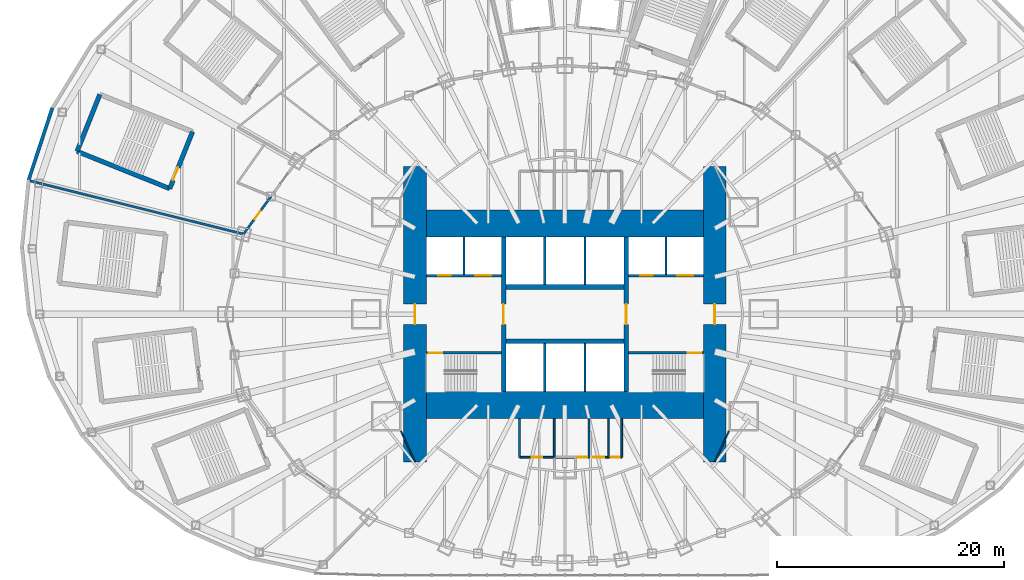
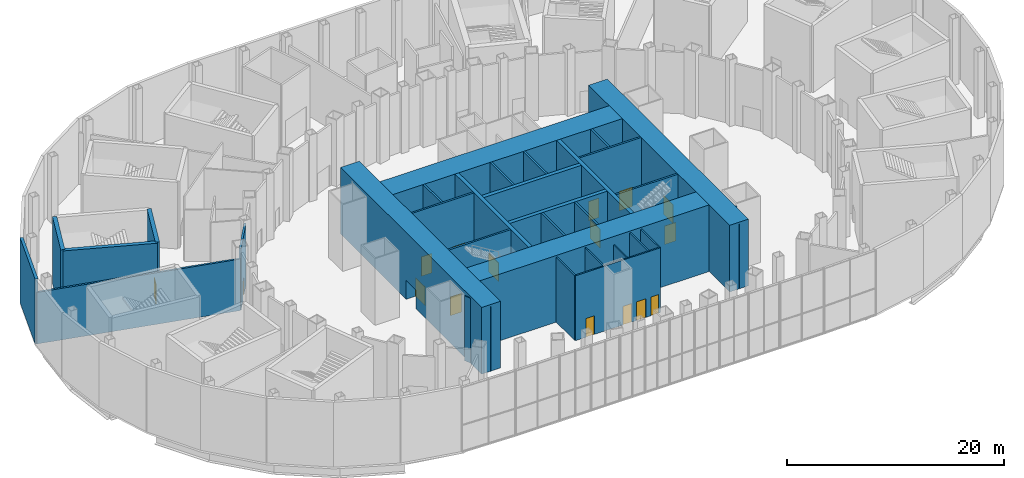
# One storey, part 14 of 73: 32 walls, 16 doors, 16 openings.
"""IFC4 building model written with IfcOpenShell, lengths in metres."""

from ifc_helpers import new_model, si_unit, direction, frame, frame_2d, origin, place, context, subcontext, project, spatial, rectangle, extrude, material, layer, layer_set, type_object, element, fill, save


model = new_model("IFC4")

# Units and contexts
model_context = context("Model", 3, precision=1e-05, world=origin(), true_north=direction((0.0, 1.0)))
body_context = subcontext(model_context, "Body", "Model", "MODEL_VIEW")
ifc_project = project(units=[si_unit("LENGTHUNIT", "METRE"), si_unit("AREAUNIT", "SQUARE_METRE"), si_unit("VOLUMEUNIT", "CUBIC_METRE"), si_unit("PLANEANGLEUNIT", "RADIAN"), si_unit("MASSUNIT", "GRAM", prefix="KILO")], contexts=[model_context])

# Site, building, storey
site_placement = place(None, origin())
site = spatial("IfcSite", under=ifc_project, at=site_placement, CompositionType="ELEMENT")
building_placement = place(site_placement, origin())
building = spatial("IfcBuilding", under=site, at=building_placement, Name="Lantaw Convention Tower", CompositionType="ELEMENT")
storey_placement = place(building_placement, frame((0.0, 0.0, 14.5)))
storey = spatial("IfcBuildingStorey", under=building, at=storey_placement, Name="L02", CompositionType="ELEMENT", Elevation=14.5)

# Wall, opening, door
ifc_material_1 = material(Name="Concrete C60/75", Category="concrete")
ifc_layer_1 = layer(ifc_material_1, 0.199951171875)
ifc_layer_set_1 = layer_set([ifc_layer_1], Name="Core wall 200")
wall_type_1 = type_object("IfcWallType", Name="Core wall 200", PredefinedType="SHEAR", material=ifc_layer_set_1)
wall_1_placement = place(storey_placement, frame((5.60009765625, -3.39990234375, 0.0), z_axis=(0.0, 0.0, 1.0), x_axis=(1.0, 0.0, 0.0)))
wall_1 = element("IfcWall", 1, at=wall_1_placement, inside=storey, type_object=wall_type_1, Name="Core wall ES", PredefinedType="SHEAR", context=body_context, shape_type="SweptSolid", body=[
    extrude(rectangle(XDim=6.599853515625, YDim=0.199951171875, at=frame_2d((3.2998046875, 0.0))), origin(), (0.0, 0.0, 1.0), 7.5),
])
opening_1_placement = place(wall_1_placement, frame((5.199951171875, 0.0, 0.0)))
opening_1 = element("IfcOpeningElement", 2, at=opening_1_placement, cuts=wall_1, Name="Opening L02.03", PredefinedType="OPENING", context=body_context, shape_type="SweptSolid", body=[
    extrude(rectangle(XDim=1.199951171875, YDim=2.10009765625, at=frame_2d((0.60009765625, 1.050048828125))), frame((0.0, 0.10986328125, 0.0), z_axis=(0.0, -1.0, 0.0), x_axis=(1.0, 0.0, 0.0)), (0.0, 0.0, 1.0), 0.219970703125),
])
ifc_material_2 = material(Name="Steel, fire rated", Category="steel")
door_type_1 = type_object("IfcDoorType", Name="Stair door FD90", OperationType="SINGLE_SWING_RIGHT", PredefinedType="DOOR", material=ifc_material_2)
door_1_placement = place(opening_1_placement, origin())
door_1 = element("IfcDoor", 3, at=door_1_placement, inside=storey, type_object=door_type_1, Name="Exit stair door", OperationType="SINGLE_SWING_RIGHT", OverallHeight=2.10009765625, OverallWidth=1.199951171875, PredefinedType="DOOR", context=body_context, shape_type="SweptSolid", body=[
    extrude(rectangle(XDim=1.199951171875, YDim=2.10009765625, at=frame_2d((0.60009765625, 1.050048828125))), frame((0.0, 0.02490234375, 0.0), z_axis=(0.0, -1.0, 0.0), x_axis=(1.0, 0.0, 0.0)), (0.0, 0.0, 1.0), 0.050048828125),
])
fill(opening_1, door_1)

wall_2_placement = place(storey_placement, frame((-5.60009765625, -3.39990234375, 0.0), z_axis=(0.0, 0.0, 1.0), x_axis=(-1.0, 0.0, 0.0)))
wall_2 = element("IfcWall", 4, at=wall_2_placement, inside=storey, type_object=wall_type_1, Name="Core wall WS", PredefinedType="SHEAR", context=body_context, shape_type="SweptSolid", body=[
    extrude(rectangle(XDim=6.599853515625, YDim=0.199951171875, at=frame_2d((3.2998046875, 0.0))), origin(), (0.0, 0.0, 1.0), 7.5),
])
opening_2_placement = place(wall_2_placement, frame((5.199951171875, 0.0, 0.0)))
opening_2 = element("IfcOpeningElement", 5, at=opening_2_placement, cuts=wall_2, Name="Opening L02.04", PredefinedType="OPENING", context=body_context, shape_type="SweptSolid", body=[
    extrude(rectangle(XDim=1.199951171875, YDim=2.10009765625, at=frame_2d((0.60009765625, 1.050048828125))), frame((0.0, 0.10986328125, 0.0), z_axis=(0.0, -1.0, 0.0), x_axis=(1.0, 0.0, 0.0)), (0.0, 0.0, 1.0), 0.219970703125),
])
door_2_placement = place(opening_2_placement, origin())
door_2 = element("IfcDoor", 6, at=door_2_placement, inside=storey, type_object=door_type_1, Name="Exit stair door", OperationType="SINGLE_SWING_RIGHT", OverallHeight=2.10009765625, OverallWidth=1.199951171875, PredefinedType="DOOR", context=body_context, shape_type="SweptSolid", body=[
    extrude(rectangle(XDim=1.199951171875, YDim=2.10009765625, at=frame_2d((0.60009765625, 1.050048828125))), frame((0.0, 0.02490234375, 0.0), z_axis=(0.0, -1.0, 0.0), x_axis=(1.0, 0.0, 0.0)), (0.0, 0.0, 1.0), 0.050048828125),
])
fill(opening_2, door_2)

ifc_layer_2 = layer(ifc_material_1, 2.0)
ifc_layer_set_2 = layer_set([ifc_layer_2], Name="Core wall 2000")
wall_type_2 = type_object("IfcWallType", Name="Core wall 2000", PredefinedType="SHEAR", material=ifc_layer_set_2)
wall_3_placement = place(storey_placement, frame((13.199951171875, -13.0, 0.0), z_axis=(0.0, 0.0, 1.0), x_axis=(0.0, 1.0, 0.0)))
wall_3 = element("IfcWall", 7, at=wall_3_placement, inside=storey, type_object=wall_type_2, Name="Core wall E", PredefinedType="SHEAR", context=body_context, shape_type="SweptSolid", body=[
    extrude(rectangle(XDim=26.0, YDim=2.0, at=frame_2d((13.0, 0.0))), origin(), (0.0, 0.0, 1.0), 7.5),
])
opening_3_placement = place(wall_3_placement, frame((12.10009765625, 0.0, 0.0)))
opening_3 = element("IfcOpeningElement", 8, at=opening_3_placement, cuts=wall_3, Name="Opening L02.05", PredefinedType="OPENING", context=body_context, shape_type="SweptSolid", body=[
    extrude(rectangle(XDim=1.800048828125, YDim=2.10009765625, at=frame_2d((0.89990234375, 1.050048828125))), frame((0.0, 1.010009765625, 0.0), z_axis=(0.0, -1.0, 0.0), x_axis=(1.0, 0.0, 0.0)), (0.0, 0.0, 1.0), 2.02001953125),
])
door_type_2 = type_object("IfcDoorType", Name="Lobby double door FD90", OperationType="DOUBLE_DOOR_DOUBLE_SWING", PredefinedType="DOOR", material=ifc_material_2)
door_3_placement = place(opening_3_placement, origin())
door_3 = element("IfcDoor", 9, at=door_3_placement, inside=storey, type_object=door_type_2, Name="Firefighting lobby door", OperationType="DOUBLE_DOOR_DOUBLE_SWING", OverallHeight=2.10009765625, OverallWidth=1.800048828125, PredefinedType="DOOR", context=body_context, shape_type="SweptSolid", body=[
    extrude(rectangle(XDim=1.800048828125, YDim=2.10009765625, at=frame_2d((0.89990234375, 1.050048828125))), frame((0.0, 0.02490234375, 0.0), z_axis=(0.0, -1.0, 0.0), x_axis=(1.0, 0.0, 0.0)), (0.0, 0.0, 1.0), 0.050048828125),
])
fill(opening_3, door_3)

wall_4_placement = place(storey_placement, frame((-13.199951171875, 13.0, 0.0), z_axis=(0.0, 0.0, 1.0), x_axis=(0.0, -1.0, 0.0)))
wall_4 = element("IfcWall", 10, at=wall_4_placement, inside=storey, type_object=wall_type_2, Name="Core wall W", PredefinedType="SHEAR", context=body_context, shape_type="SweptSolid", body=[
    extrude(rectangle(XDim=26.0, YDim=2.0, at=frame_2d((13.0, 0.0))), origin(), (0.0, 0.0, 1.0), 7.5),
])
opening_4_placement = place(wall_4_placement, frame((12.10009765625, 0.0, 0.0)))
opening_4 = element("IfcOpeningElement", 11, at=opening_4_placement, cuts=wall_4, Name="Opening L02.06", PredefinedType="OPENING", context=body_context, shape_type="SweptSolid", body=[
    extrude(rectangle(XDim=1.800048828125, YDim=2.10009765625, at=frame_2d((0.89990234375, 1.050048828125))), frame((0.0, 1.010009765625, 0.0), z_axis=(0.0, -1.0, 0.0), x_axis=(1.0, 0.0, 0.0)), (0.0, 0.0, 1.0), 2.02001953125),
])
door_4_placement = place(opening_4_placement, origin())
door_4 = element("IfcDoor", 12, at=door_4_placement, inside=storey, type_object=door_type_2, Name="Firefighting lobby door", OperationType="DOUBLE_DOOR_DOUBLE_SWING", OverallHeight=2.10009765625, OverallWidth=1.800048828125, PredefinedType="DOOR", context=body_context, shape_type="SweptSolid", body=[
    extrude(rectangle(XDim=1.800048828125, YDim=2.10009765625, at=frame_2d((0.89990234375, 1.050048828125))), frame((0.0, 0.02490234375, 0.0), z_axis=(0.0, -1.0, 0.0), x_axis=(1.0, 0.0, 0.0)), (0.0, 0.0, 1.0), 0.050048828125),
])
fill(opening_4, door_4)

# Walls
ifc_layer_3 = layer(ifc_material_1, 2.39990234375)
ifc_layer_set_3 = layer_set([ifc_layer_3], Name="Core wall 2400")
wall_type_3 = type_object("IfcWallType", Name="Core wall 2400", PredefinedType="SHEAR", material=ifc_layer_set_3)
for number, where, z_axis, x_axis, name in (
    (13, (-12.199951171875, -8.0, 0.0), (0.0, 0.0, 1.0), (1.0, 0.0, 0.0), "Core wall S"),
    (14, (12.199951171875, 8.0, 0.0), (0.0, 0.0, 1.0), (-1.0, 0.0, 0.0), "Core wall N"),
):
    element("IfcWall", number, at=place(storey_placement, frame(where, z_axis=z_axis, x_axis=x_axis)), inside=storey, type_object=wall_type_3, Name=name, PredefinedType="SHEAR", context=body_context, shape_type="SweptSolid", body=[
        extrude(rectangle(XDim=24.39990234375, YDim=2.39990234375, at=frame_2d((12.199951171875, 0.0))), origin(), (0.0, 0.0, 1.0), 7.5),
    ])

# Wall, opening, door
ifc_layer_4 = layer(ifc_material_1, 0.39990234375)
ifc_layer_set_4 = layer_set([ifc_layer_4], Name="Core wall 400")
wall_type_4 = type_object("IfcWallType", Name="Core wall 400", PredefinedType="SHEAR", material=ifc_layer_set_4)
wall_5_placement = place(storey_placement, frame((5.39990234375, -6.800048828125, 0.0), z_axis=(0.0, 0.0, 1.0), x_axis=(0.0, 1.0, 0.0)))
wall_5 = element("IfcWall", 15, at=wall_5_placement, inside=storey, type_object=wall_type_4, Name="Core wall XE", PredefinedType="SHEAR", context=body_context, shape_type="SweptSolid", body=[
    extrude(rectangle(XDim=13.60009765625, YDim=0.39990234375, at=frame_2d((6.800048828125, 0.0))), origin(), (0.0, 0.0, 1.0), 7.5),
])
opening_5_placement = place(wall_5_placement, frame((5.89990234375, 0.0, 0.0)))
opening_5 = element("IfcOpeningElement", 16, at=opening_5_placement, cuts=wall_5, Name="Opening L02.01", PredefinedType="OPENING", context=body_context, shape_type="SweptSolid", body=[
    extrude(rectangle(XDim=1.800048828125, YDim=2.10009765625, at=frame_2d((0.89990234375, 1.050048828125))), frame((0.0, 0.2099609375, 0.0), z_axis=(0.0, -1.0, 0.0), x_axis=(1.0, 0.0, 0.0)), (0.0, 0.0, 1.0), 0.419921875),
])
door_5_placement = place(opening_5_placement, origin())
door_5 = element("IfcDoor", 17, at=door_5_placement, inside=storey, type_object=door_type_2, Name="Lift lobby door", OperationType="DOUBLE_DOOR_DOUBLE_SWING", OverallHeight=2.10009765625, OverallWidth=1.800048828125, PredefinedType="DOOR", context=body_context, shape_type="SweptSolid", body=[
    extrude(rectangle(XDim=1.800048828125, YDim=2.10009765625, at=frame_2d((0.89990234375, 1.050048828125))), frame((0.0, 0.02490234375, 0.0), z_axis=(0.0, -1.0, 0.0), x_axis=(1.0, 0.0, 0.0)), (0.0, 0.0, 1.0), 0.050048828125),
])
fill(opening_5, door_5)

wall_6_placement = place(storey_placement, frame((-5.39990234375, 6.800048828125, 0.0), z_axis=(0.0, 0.0, 1.0), x_axis=(0.0, -1.0, 0.0)))
wall_6 = element("IfcWall", 18, at=wall_6_placement, inside=storey, type_object=wall_type_4, Name="Core wall XW", PredefinedType="SHEAR", context=body_context, shape_type="SweptSolid", body=[
    extrude(rectangle(XDim=13.60009765625, YDim=0.39990234375, at=frame_2d((6.800048828125, 0.0))), origin(), (0.0, 0.0, 1.0), 7.5),
])
opening_6_placement = place(wall_6_placement, frame((5.89990234375, 0.0, 0.0)))
opening_6 = element("IfcOpeningElement", 19, at=opening_6_placement, cuts=wall_6, Name="Opening L02.02", PredefinedType="OPENING", context=body_context, shape_type="SweptSolid", body=[
    extrude(rectangle(XDim=1.800048828125, YDim=2.10009765625, at=frame_2d((0.89990234375, 1.050048828125))), frame((0.0, 0.2099609375, 0.0), z_axis=(0.0, -1.0, 0.0), x_axis=(1.0, 0.0, 0.0)), (0.0, 0.0, 1.0), 0.419921875),
])
door_6_placement = place(opening_6_placement, origin())
door_6 = element("IfcDoor", 20, at=door_6_placement, inside=storey, type_object=door_type_2, Name="Lift lobby door", OperationType="DOUBLE_DOOR_DOUBLE_SWING", OverallHeight=2.10009765625, OverallWidth=1.800048828125, PredefinedType="DOOR", context=body_context, shape_type="SweptSolid", body=[
    extrude(rectangle(XDim=1.800048828125, YDim=2.10009765625, at=frame_2d((0.89990234375, 1.050048828125))), frame((0.0, 0.02490234375, 0.0), z_axis=(0.0, -1.0, 0.0), x_axis=(1.0, 0.0, 0.0)), (0.0, 0.0, 1.0), 0.050048828125),
])
fill(opening_6, door_6)

# Walls
for number, where, z_axis, x_axis, name in (
    (21, (-5.199951171875, -2.39990234375, 0.0), (0.0, 0.0, 1.0), (1.0, 0.0, 0.0), "Core wall BS"),
    (22, (5.199951171875, 2.39990234375, 0.0), (0.0, 0.0, 1.0), (-1.0, 0.0, 0.0), "Core wall BN"),
):
    element("IfcWall", number, at=place(storey_placement, frame(where, z_axis=z_axis, x_axis=x_axis)), inside=storey, type_object=wall_type_4, Name=name, PredefinedType="SHEAR", context=body_context, shape_type="SweptSolid", body=[
        extrude(rectangle(XDim=10.39990234375, YDim=0.39990234375, at=frame_2d((5.199951171875, 0.0))), origin(), (0.0, 0.0, 1.0), 7.5),
    ])
ifc_material_3 = material(Name="Gypsum board on steel studs, acoustic", Category="steel")
ifc_layer_5 = layer(ifc_material_3, 0.10009765625)
ifc_layer_set_5 = layer_set([ifc_layer_5], Name="Office partition 100")
wall_type_5 = type_object("IfcWallType", Name="Office partition 100", PredefinedType="PARTITIONING", material=ifc_layer_set_5)
for number, where, z_axis, x_axis, name in (
    (23, (13.199951171875, -13.0, 0.0), (0.0, 0.0, 1.0), (0.420129824888, 0.907464010437, 0.0), "Office partition 100"),
    (24, (-13.199951171875, -13.0, 0.0), (0.0, 0.0, 1.0), (-0.420129824888, 0.907464010437, 0.0), "Office partition 100"),
):
    element("IfcWall", number, at=place(storey_placement, frame(where, z_axis=z_axis, x_axis=x_axis)), inside=storey, type_object=wall_type_5, Name=name, PredefinedType="PARTITIONING", context=body_context, shape_type="SweptSolid", body=[
        extrude(rectangle(XDim=2.975341796875, YDim=0.10009765625, at=frame_2d((1.48779296875, 0.0))), origin(), (0.0, 0.0, 1.0), 7.300048828125),
    ])
ifc_material_4 = material(Name="Precast concrete panel, pale aluminium rainscreen", Category="concrete")
ifc_layer_6 = layer(ifc_material_4, 0.300048828125)
ifc_layer_set_6 = layer_set([ifc_layer_6], Name="Podium external wall 300")
wall_type_6 = type_object("IfcWallType", Name="Podium external wall 300", PredefinedType="SOLIDWALL", material=ifc_layer_set_6)
wall_7_placement = place(storey_placement, frame((-45.158203125, 18.181640625, 0.0), z_axis=(0.0, 0.0, 1.0), x_axis=(-0.31263149373, -0.94987449125, 0.0)))
element("IfcWall", 25, at=wall_7_placement, inside=storey, type_object=wall_type_6, Name="Podium facade wall", PredefinedType="SOLIDWALL", context=body_context, shape_type="SweptSolid", body=[
    extrude(rectangle(XDim=6.7861328125, YDim=0.300048828125, at=frame_2d((3.39306640625, 0.0))), origin(), (0.0, 0.0, 1.0), 7.300048828125),
])

# Wall, opening, door
ifc_material_5 = material(Name="Concrete blockwork", Category="masonry")
ifc_layer_7 = layer(ifc_material_5, 0.199951171875)
ifc_layer_set_7 = layer_set([ifc_layer_7], Name="Podium partition 200")
wall_type_7 = type_object("IfcWallType", Name="Podium partition 200", PredefinedType="SOLIDWALL", material=ifc_layer_set_7)
wall_8_placement = place(storey_placement, frame((-25.8779296875, 10.388427734375, 0.0), z_axis=(0.0, 0.0, 1.0), x_axis=(-0.591255937291, -0.806483984105, 0.0)))
wall_8 = element("IfcWall", 26, at=wall_8_placement, inside=storey, type_object=wall_type_7, Name="Podium partition 200", PredefinedType="SOLIDWALL", context=body_context, shape_type="SweptSolid", body=[
    extrude(rectangle(XDim=4.126708984375, YDim=0.199951171875, at=frame_2d((2.0634765625, 0.0))), origin(), (0.0, 0.0, 1.0), 6.896240234375),
])
opening_7_placement = place(wall_8_placement, frame((1.61328125, 0.0, 0.0)))
opening_7 = element("IfcOpeningElement", 27, at=opening_7_placement, cuts=wall_8, Name="Opening L02.21", PredefinedType="OPENING", context=body_context, shape_type="SweptSolid", body=[
    extrude(rectangle(XDim=0.89990234375, YDim=2.10009765625, at=frame_2d((0.449951171875, 1.050048828125))), frame((0.0, 0.10986328125, 0.0), z_axis=(0.0, -1.0, 0.0), x_axis=(1.0, 0.0, 0.0)), (0.0, 0.0, 1.0), 0.219970703125),
])
ifc_material_6 = material(Name="Timber", Category="wood")
door_type_3 = type_object("IfcDoorType", Name="Store door 900", OperationType="SINGLE_SWING_LEFT", PredefinedType="DOOR", material=ifc_material_6)
door_7_placement = place(opening_7_placement, origin())
door_7 = element("IfcDoor", 28, at=door_7_placement, inside=storey, type_object=door_type_3, Name="Hall store door", OperationType="SINGLE_SWING_LEFT", OverallHeight=2.10009765625, OverallWidth=0.89990234375, PredefinedType="DOOR", context=body_context, shape_type="SweptSolid", body=[
    extrude(rectangle(XDim=0.89990234375, YDim=2.10009765625, at=frame_2d((0.449951171875, 1.050048828125))), frame((0.0, 0.02490234375, 0.0), z_axis=(0.0, -1.0, 0.0), x_axis=(1.0, 0.0, 0.0)), (0.0, 0.0, 1.0), 0.050048828125),
])
fill(opening_7, door_7)

# Walls
wall_9_placement = place(storey_placement, frame((-28.31787109375, 7.060302734375, 0.0), z_axis=(0.0, 0.0, 1.0), x_axis=(-0.970227758662, 0.242194335859, 0.0)))
element("IfcWall", 29, at=wall_9_placement, inside=storey, type_object=wall_type_7, Name="Podium partition 200", PredefinedType="SOLIDWALL", context=body_context, shape_type="SweptSolid", body=[
    extrude(rectangle(XDim=19.525634765625, YDim=0.199951171875, at=frame_2d((9.7626953125, 0.0))), origin(), (0.0, 0.0, 1.0), 5.800048828125),
])
ifc_material_7 = material(Name="Concrete blockwork, fire rated", Category="masonry")
ifc_layer_8 = layer(ifc_material_7, 0.199951171875)
ifc_layer_set_8 = layer_set([ifc_layer_8], Name="Shaft wall 200")
wall_type_8 = type_object("IfcWallType", Name="Shaft wall 200", PredefinedType="SOLIDWALL", material=ifc_layer_set_8)
for number, where, z_axis, x_axis, name in (
    (30, (-1.7666015625, 2.60009765625, 0.0), (0.0, 0.0, 1.0), (0.0, 1.0, 0.0), "Shaft wall DN1"),
    (31, (1.7666015625, 2.60009765625, 0.0), (0.0, 0.0, 1.0), (0.0, 1.0, 0.0), "Shaft wall DN2"),
):
    element("IfcWall", number, at=place(storey_placement, frame(where, z_axis=z_axis, x_axis=x_axis)), inside=storey, type_object=wall_type_8, Name=name, PredefinedType="SOLIDWALL", context=body_context, shape_type="SweptSolid", body=[
        extrude(rectangle(XDim=4.199951171875, YDim=0.199951171875, at=frame_2d((2.10009765625, 0.0))), origin(), (0.0, 0.0, 1.0), 7.5),
    ])

# Wall, openings, doors
wall_10_placement = place(storey_placement, frame((12.199951171875, 3.39990234375, 0.0), z_axis=(0.0, 0.0, 1.0), x_axis=(-1.0, 0.0, 0.0)))
wall_10 = element("IfcWall", 32, at=wall_10_placement, inside=storey, type_object=wall_type_8, Name="Shaft wall EN", PredefinedType="SOLIDWALL", context=body_context, shape_type="SweptSolid", body=[
    extrude(rectangle(XDim=6.599853515625, YDim=0.199951171875, at=frame_2d((3.2998046875, 0.0))), origin(), (0.0, 0.0, 1.0), 7.5),
])
opening_8_placement = place(wall_10_placement, frame((4.449951171875, 0.0, 0.0)))
opening_8 = element("IfcOpeningElement", 33, at=opening_8_placement, cuts=wall_10, Name="Opening L02.09", PredefinedType="OPENING", context=body_context, shape_type="SweptSolid", body=[
    extrude(rectangle(XDim=1.10009765625, YDim=2.199951171875, at=frame_2d((0.550048828125, 1.10009765625))), frame((0.0, 0.10986328125, 0.0), z_axis=(0.0, -1.0, 0.0), x_axis=(1.0, 0.0, 0.0)), (0.0, 0.0, 1.0), 0.219970703125),
])
opening_9_placement = place(wall_10_placement, frame((0.89990234375, 0.0, 0.0)))
opening_9 = element("IfcOpeningElement", 34, at=opening_9_placement, cuts=wall_10, Name="Opening L02.10", PredefinedType="OPENING", context=body_context, shape_type="SweptSolid", body=[
    extrude(rectangle(XDim=1.39990234375, YDim=2.199951171875, at=frame_2d((0.699951171875, 1.10009765625))), frame((0.0, 0.10986328125, 0.0), z_axis=(0.0, -1.0, 0.0), x_axis=(1.0, 0.0, 0.0)), (0.0, 0.0, 1.0), 0.219970703125),
])
ifc_material_8 = material(Name="Stainless steel", Category="steel")
door_type_4 = type_object("IfcDoorType", Name="Lift landing door 1100", OperationType="DOUBLE_DOOR_SLIDING", PredefinedType="DOOR", material=ifc_material_8)
door_8_placement = place(opening_8_placement, origin())
door_8 = element("IfcDoor", 35, at=door_8_placement, inside=storey, type_object=door_type_4, Name="Lift landing door FF2", OperationType="DOUBLE_DOOR_SLIDING", OverallHeight=2.199951171875, OverallWidth=1.10009765625, PredefinedType="DOOR", context=body_context, shape_type="SweptSolid", body=[
    extrude(rectangle(XDim=1.10009765625, YDim=2.199951171875, at=frame_2d((0.550048828125, 1.10009765625))), frame((0.0, 0.02490234375, 0.0), z_axis=(0.0, -1.0, 0.0), x_axis=(1.0, 0.0, 0.0)), (0.0, 0.0, 1.0), 0.050048828125),
])
fill(opening_8, door_8)
door_type_5 = type_object("IfcDoorType", Name="Lift landing door 1400", OperationType="DOUBLE_DOOR_SLIDING", PredefinedType="DOOR", material=ifc_material_8)
door_9_placement = place(opening_9_placement, origin())
door_9 = element("IfcDoor", 36, at=door_9_placement, inside=storey, type_object=door_type_5, Name="Lift landing door SV2", OperationType="DOUBLE_DOOR_SLIDING", OverallHeight=2.199951171875, OverallWidth=1.39990234375, PredefinedType="DOOR", context=body_context, shape_type="SweptSolid", body=[
    extrude(rectangle(XDim=1.39990234375, YDim=2.199951171875, at=frame_2d((0.699951171875, 1.10009765625))), frame((0.0, 0.02490234375, 0.0), z_axis=(0.0, -1.0, 0.0), x_axis=(1.0, 0.0, 0.0)), (0.0, 0.0, 1.0), 0.050048828125),
])
fill(opening_9, door_9)

# Wall
wall_11_placement = place(storey_placement, frame((8.89990234375, 3.5, 0.0), z_axis=(0.0, 0.0, 1.0), x_axis=(0.0, 1.0, 0.0)))
element("IfcWall", 37, at=wall_11_placement, inside=storey, type_object=wall_type_8, Name="Shaft wall ED", PredefinedType="SOLIDWALL", context=body_context, shape_type="SweptSolid", body=[
    extrude(rectangle(XDim=3.300048828125, YDim=0.199951171875, at=frame_2d((1.64990234375, 0.0))), origin(), (0.0, 0.0, 1.0), 7.5),
])

# Wall, openings, doors
wall_12_placement = place(storey_placement, frame((-12.199951171875, 3.39990234375, 0.0), z_axis=(0.0, 0.0, 1.0), x_axis=(1.0, 0.0, 0.0)))
wall_12 = element("IfcWall", 38, at=wall_12_placement, inside=storey, type_object=wall_type_8, Name="Shaft wall WN", PredefinedType="SOLIDWALL", context=body_context, shape_type="SweptSolid", body=[
    extrude(rectangle(XDim=6.599853515625, YDim=0.199951171875, at=frame_2d((3.2998046875, 0.0))), origin(), (0.0, 0.0, 1.0), 7.5),
])
opening_10_placement = place(wall_12_placement, frame((1.050048828125, 0.0, 0.0)))
opening_10 = element("IfcOpeningElement", 39, at=opening_10_placement, cuts=wall_12, Name="Opening L02.07", PredefinedType="OPENING", context=body_context, shape_type="SweptSolid", body=[
    extrude(rectangle(XDim=1.10009765625, YDim=2.199951171875, at=frame_2d((0.550048828125, 1.10009765625))), frame((0.0, 0.10986328125, 0.0), z_axis=(0.0, -1.0, 0.0), x_axis=(1.0, 0.0, 0.0)), (0.0, 0.0, 1.0), 0.219970703125),
])
opening_11_placement = place(wall_12_placement, frame((4.300048828125, 0.0, 0.0)))
opening_11 = element("IfcOpeningElement", 40, at=opening_11_placement, cuts=wall_12, Name="Opening L02.08", PredefinedType="OPENING", context=body_context, shape_type="SweptSolid", body=[
    extrude(rectangle(XDim=1.39990234375, YDim=2.199951171875, at=frame_2d((0.699951171875, 1.10009765625))), frame((0.0, 0.10986328125, 0.0), z_axis=(0.0, -1.0, 0.0), x_axis=(1.0, 0.0, 0.0)), (0.0, 0.0, 1.0), 0.219970703125),
])
door_10_placement = place(opening_10_placement, origin())
door_10 = element("IfcDoor", 41, at=door_10_placement, inside=storey, type_object=door_type_4, Name="Lift landing door FF1", OperationType="DOUBLE_DOOR_SLIDING", OverallHeight=2.199951171875, OverallWidth=1.10009765625, PredefinedType="DOOR", context=body_context, shape_type="SweptSolid", body=[
    extrude(rectangle(XDim=1.10009765625, YDim=2.199951171875, at=frame_2d((0.550048828125, 1.10009765625))), frame((0.0, 0.02490234375, 0.0), z_axis=(0.0, -1.0, 0.0), x_axis=(1.0, 0.0, 0.0)), (0.0, 0.0, 1.0), 0.050048828125),
])
fill(opening_10, door_10)
door_11_placement = place(opening_11_placement, origin())
door_11 = element("IfcDoor", 42, at=door_11_placement, inside=storey, type_object=door_type_5, Name="Lift landing door SV1", OperationType="DOUBLE_DOOR_SLIDING", OverallHeight=2.199951171875, OverallWidth=1.39990234375, PredefinedType="DOOR", context=body_context, shape_type="SweptSolid", body=[
    extrude(rectangle(XDim=1.39990234375, YDim=2.199951171875, at=frame_2d((0.699951171875, 1.10009765625))), frame((0.0, 0.02490234375, 0.0), z_axis=(0.0, -1.0, 0.0), x_axis=(1.0, 0.0, 0.0)), (0.0, 0.0, 1.0), 0.050048828125),
])
fill(opening_11, door_11)

# Walls
wall_13_placement = place(storey_placement, frame((-8.89990234375, 3.5, 0.0), z_axis=(0.0, 0.0, 1.0), x_axis=(0.0, 1.0, 0.0)))
element("IfcWall", 43, at=wall_13_placement, inside=storey, type_object=wall_type_8, Name="Shaft wall WD", PredefinedType="SOLIDWALL", context=body_context, shape_type="SweptSolid", body=[
    extrude(rectangle(XDim=3.300048828125, YDim=0.199951171875, at=frame_2d((1.64990234375, 0.0))), origin(), (0.0, 0.0, 1.0), 7.5),
])
ifc_layer_9 = layer(ifc_material_7, 0.199951171875)
ifc_layer_set_9 = layer_set([ifc_layer_9], Name="Shaft wall 200 load-bearing")
wall_type_9 = type_object("IfcWallType", Name="Shaft wall 200 load-bearing", PredefinedType="SOLIDWALL", material=ifc_layer_set_9)
for number, where, z_axis, x_axis, name in (
    (44, (-1.7666015625, -2.60009765625, 0.0), (0.0, 0.0, 1.0), (0.0, -1.0, 0.0), "Shaft wall DS1"),
    (45, (1.7666015625, -2.60009765625, 0.0), (0.0, 0.0, 1.0), (0.0, -1.0, 0.0), "Shaft wall DS2"),
):
    element("IfcWall", number, at=place(storey_placement, frame(where, z_axis=z_axis, x_axis=x_axis)), inside=storey, type_object=wall_type_9, Name=name, PredefinedType="SOLIDWALL", context=body_context, shape_type="SweptSolid", body=[
        extrude(rectangle(XDim=4.199951171875, YDim=0.199951171875, at=frame_2d((2.10009765625, 0.0))), origin(), (0.0, 0.0, 1.0), 7.5),
    ])
ifc_material_9 = material(Name="Concrete C40/50, stair core", Category="concrete")
ifc_layer_10 = layer(ifc_material_9, 0.39990234375)
ifc_layer_set_10 = layer_set([ifc_layer_10], Name="Stair enclosure wall 400 EI 120")
wall_type_10 = type_object("IfcWallType", Name="Stair enclosure wall 400 EI 120", PredefinedType="SHEAR", material=ifc_layer_set_10)
wall_14_placement = place(storey_placement, frame((-40.966552734375, 19.35498046875, 0.0), z_axis=(0.0, 0.0, 1.0), x_axis=(-0.372544066459, -0.928014503414, 0.0)))
element("IfcWall", 46, at=wall_14_placement, inside=storey, type_object=wall_type_10, Name="Stair enclosure wall", PredefinedType="SHEAR", context=body_context, shape_type="SweptSolid", body=[
    extrude(rectangle(XDim=5.39990234375, YDim=0.39990234375, at=frame_2d((2.699951171875, 0.0))), origin(), (0.0, 0.0, 1.0), 7.5),
])
wall_15_placement = place(storey_placement, frame((-42.978271484375, 14.34375, 0.0), z_axis=(0.0, 0.0, 1.0), x_axis=(0.92801678004, -0.372538395288, 0.0)))
element("IfcWall", 47, at=wall_15_placement, inside=storey, type_object=wall_type_10, Name="Stair enclosure wall", PredefinedType="SHEAR", context=body_context, shape_type="SweptSolid", body=[
    extrude(rectangle(XDim=8.800048828125, YDim=0.39990234375, at=frame_2d((4.39990234375, 0.0))), origin(), (0.0, 0.0, 1.0), 7.5),
])

# Wall, opening, door
wall_16_placement = place(storey_placement, frame((-34.811767578125, 11.0654296875, 0.0), z_axis=(0.0, 0.0, 1.0), x_axis=(0.372544066459, 0.928014503414, 0.0)))
wall_16 = element("IfcWall", 48, at=wall_16_placement, inside=storey, type_object=wall_type_10, Name="Stair enclosure wall", PredefinedType="SHEAR", context=body_context, shape_type="SweptSolid", body=[
    extrude(rectangle(XDim=5.39990234375, YDim=0.39990234375, at=frame_2d((2.699951171875, 0.0))), origin(), (0.0, 0.0, 1.0), 7.5),
])
opening_12_placement = place(wall_16_placement, frame((0.800048828125, 0.0, 0.0)))
opening_12 = element("IfcOpeningElement", 49, at=opening_12_placement, cuts=wall_16, Name="Opening L02.P8", PredefinedType="OPENING", context=body_context, shape_type="SweptSolid", body=[
    extrude(rectangle(XDim=1.199951171875, YDim=2.10009765625, at=frame_2d((0.60009765625, 1.050048828125))), frame((0.0, 0.2099609375, 0.0), z_axis=(0.0, -1.0, 0.0), x_axis=(1.0, 0.0, 0.0)), (0.0, 0.0, 1.0), 0.419921875),
])
door_12_placement = place(opening_12_placement, origin())
door_12 = element("IfcDoor", 50, at=door_12_placement, inside=storey, type_object=door_type_1, Name="Exit stair door", OperationType="SINGLE_SWING_RIGHT", OverallHeight=2.10009765625, OverallWidth=1.199951171875, PredefinedType="DOOR", context=body_context, shape_type="SweptSolid", body=[
    extrude(rectangle(XDim=1.199951171875, YDim=2.10009765625, at=frame_2d((0.60009765625, 1.050048828125))), frame((0.0, 0.02490234375, 0.0), z_axis=(0.0, -1.0, 0.0), x_axis=(1.0, 0.0, 0.0)), (0.0, 0.0, 1.0), 0.050048828125),
])
fill(opening_12, door_12)

# Wall, openings, doors
ifc_layer_11 = layer(ifc_material_5, 0.14990234375)
ifc_layer_set_11 = layer_set([ifc_layer_11], Name="WC wall 150")
wall_type_11 = type_object("IfcWallType", Name="WC wall 150", PredefinedType="SOLIDWALL", material=ifc_layer_set_11)
wall_17_placement = place(storey_placement, frame((-4.0, -12.60009765625, 0.0), z_axis=(0.0, 0.0, 1.0), x_axis=(1.0, 0.0, 0.0)))
wall_17 = element("IfcWall", 51, at=wall_17_placement, inside=storey, type_object=wall_type_11, Name="WC wall 150", PredefinedType="SOLIDWALL", context=body_context, shape_type="SweptSolid", body=[
    extrude(rectangle(XDim=9.0, YDim=0.14990234375, at=frame_2d((4.5, 0.0))), origin(), (0.0, 0.0, 1.0), 7.300048828125),
])
opening_13_placement = place(wall_17_placement, frame((1.10009765625, 0.0, 0.0)))
opening_13 = element("IfcOpeningElement", 52, at=opening_13_placement, cuts=wall_17, Name="Opening L02.28", PredefinedType="OPENING", context=body_context, shape_type="SweptSolid", body=[
    extrude(rectangle(XDim=0.89990234375, YDim=2.10009765625, at=frame_2d((0.449951171875, 1.050048828125))), frame((0.0, 0.0849609375, 0.0), z_axis=(0.0, -1.0, 0.0), x_axis=(1.0, 0.0, 0.0)), (0.0, 0.0, 1.0), 0.169921875),
])
opening_14_placement = place(wall_17_placement, frame((5.06005859375, 0.0, 0.0)))
opening_14 = element("IfcOpeningElement", 53, at=opening_14_placement, cuts=wall_17, Name="Opening L02.29", PredefinedType="OPENING", context=body_context, shape_type="SweptSolid", body=[
    extrude(rectangle(XDim=0.89990234375, YDim=2.10009765625, at=frame_2d((0.449951171875, 1.050048828125))), frame((0.0, 0.0849609375, 0.0), z_axis=(0.0, -1.0, 0.0), x_axis=(1.0, 0.0, 0.0)), (0.0, 0.0, 1.0), 0.169921875),
])
opening_15_placement = place(wall_17_placement, frame((6.469970703125, 0.0, 0.0)))
opening_15 = element("IfcOpeningElement", 54, at=opening_15_placement, cuts=wall_17, Name="Opening L02.30", PredefinedType="OPENING", context=body_context, shape_type="SweptSolid", body=[
    extrude(rectangle(XDim=1.0, YDim=2.10009765625, at=frame_2d((0.5, 1.050048828125))), frame((0.0, 0.0849609375, 0.0), z_axis=(0.0, -1.0, 0.0), x_axis=(1.0, 0.0, 0.0)), (0.0, 0.0, 1.0), 0.169921875),
])
opening_16_placement = place(wall_17_placement, frame((8.030029296875, 0.0, 0.0)))
opening_16 = element("IfcOpeningElement", 55, at=opening_16_placement, cuts=wall_17, Name="Opening L02.31", PredefinedType="OPENING", context=body_context, shape_type="SweptSolid", body=[
    extrude(rectangle(XDim=0.800048828125, YDim=2.10009765625, at=frame_2d((0.39990234375, 1.050048828125))), frame((0.0, 0.0849609375, 0.0), z_axis=(0.0, -1.0, 0.0), x_axis=(1.0, 0.0, 0.0)), (0.0, 0.0, 1.0), 0.169921875),
])
door_type_6 = type_object("IfcDoorType", Name="Accessible WC door 1000", OperationType="SINGLE_SWING_LEFT", PredefinedType="DOOR", material=ifc_material_6)
door_13_placement = place(opening_15_placement, origin())
door_13 = element("IfcDoor", 56, at=door_13_placement, inside=storey, type_object=door_type_6, Name="Accessible WC door", OperationType="SINGLE_SWING_LEFT", OverallHeight=2.10009765625, OverallWidth=1.0, PredefinedType="DOOR", context=body_context, shape_type="SweptSolid", body=[
    extrude(rectangle(XDim=1.0, YDim=2.10009765625, at=frame_2d((0.5, 1.050048828125))), frame((0.0, 0.02490234375, 0.0), z_axis=(0.0, -1.0, 0.0), x_axis=(1.0, 0.0, 0.0)), (0.0, 0.0, 1.0), 0.050048828125),
])
fill(opening_15, door_13)
door_type_7 = type_object("IfcDoorType", Name="WC door 800", OperationType="SINGLE_SWING_LEFT", PredefinedType="DOOR", material=ifc_material_6)
door_14_placement = place(opening_16_placement, origin())
door_14 = element("IfcDoor", 57, at=door_14_placement, inside=storey, type_object=door_type_7, Name="Baby care room door", OperationType="SINGLE_SWING_LEFT", OverallHeight=2.10009765625, OverallWidth=0.800048828125, PredefinedType="DOOR", context=body_context, shape_type="SweptSolid", body=[
    extrude(rectangle(XDim=0.800048828125, YDim=2.10009765625, at=frame_2d((0.39990234375, 1.050048828125))), frame((0.0, 0.02490234375, 0.0), z_axis=(0.0, -1.0, 0.0), x_axis=(1.0, 0.0, 0.0)), (0.0, 0.0, 1.0), 0.050048828125),
])
fill(opening_16, door_14)
door_type_8 = type_object("IfcDoorType", Name="WC door 900", OperationType="SINGLE_SWING_LEFT", PredefinedType="DOOR", material=ifc_material_6)
door_15_placement = place(opening_13_placement, origin())
door_15 = element("IfcDoor", 58, at=door_15_placement, inside=storey, type_object=door_type_8, Name="Male WC door", OperationType="SINGLE_SWING_LEFT", OverallHeight=2.10009765625, OverallWidth=0.89990234375, PredefinedType="DOOR", context=body_context, shape_type="SweptSolid", body=[
    extrude(rectangle(XDim=0.89990234375, YDim=2.10009765625, at=frame_2d((0.449951171875, 1.050048828125))), frame((0.0, 0.02490234375, 0.0), z_axis=(0.0, -1.0, 0.0), x_axis=(1.0, 0.0, 0.0)), (0.0, 0.0, 1.0), 0.050048828125),
])
fill(opening_13, door_15)
door_16_placement = place(opening_14_placement, origin())
door_16 = element("IfcDoor", 59, at=door_16_placement, inside=storey, type_object=door_type_8, Name="Female WC door", OperationType="SINGLE_SWING_LEFT", OverallHeight=2.10009765625, OverallWidth=0.89990234375, PredefinedType="DOOR", context=body_context, shape_type="SweptSolid", body=[
    extrude(rectangle(XDim=0.89990234375, YDim=2.10009765625, at=frame_2d((0.449951171875, 1.050048828125))), frame((0.0, 0.02490234375, 0.0), z_axis=(0.0, -1.0, 0.0), x_axis=(1.0, 0.0, 0.0)), (0.0, 0.0, 1.0), 0.050048828125),
])
fill(opening_14, door_16)

# Walls
for number, where, z_axis, x_axis, name in (
    (60, (-4.0, -9.199951171875, 0.0), (0.0, 0.0, 1.0), (0.0, -1.0, 0.0), "WC wall 150"),
    (61, (5.0, -9.199951171875, 0.0), (0.0, 0.0, 1.0), (0.0, -1.0, 0.0), "WC wall 150"),
    (62, (-0.93994140625, -9.199951171875, 0.0), (0.0, 0.0, 1.0), (0.0, -1.0, 0.0), "WC wall 150"),
):
    element("IfcWall", number, at=place(storey_placement, frame(where, z_axis=z_axis, x_axis=x_axis)), inside=storey, type_object=wall_type_11, Name=name, PredefinedType="SOLIDWALL", context=body_context, shape_type="SweptSolid", body=[
        extrude(rectangle(XDim=3.400146484375, YDim=0.14990234375, at=frame_2d((1.7001953125, 0.0))), origin(), (0.0, 0.0, 1.0), 7.300048828125),
    ])
wall_18_placement = place(storey_placement, frame((2.1201171875, -9.199951171875, 0.0), z_axis=(0.0, 0.0, 1.0), x_axis=(0.0, -1.0, 0.0)))
element("IfcWall", 63, at=wall_18_placement, inside=storey, type_object=wall_type_11, Name="WC wall 150", PredefinedType="SOLIDWALL", context=body_context, shape_type="SweptSolid", body=[
    extrude(rectangle(XDim=3.400146484375, YDim=0.14990234375, at=frame_2d((1.7001953125, 0.0))), origin(), (0.0, 0.0, 1.0), 6.5302734375),
])
wall_19_placement = place(storey_placement, frame((3.830078125, -9.199951171875, 0.0), z_axis=(0.0, 0.0, 1.0), x_axis=(0.0, -1.0, 0.0)))
element("IfcWall", 64, at=wall_19_placement, inside=storey, type_object=wall_type_11, Name="WC wall 150", PredefinedType="SOLIDWALL", context=body_context, shape_type="SweptSolid", body=[
    extrude(rectangle(XDim=3.400146484375, YDim=0.14990234375, at=frame_2d((1.7001953125, 0.0))), origin(), (0.0, 0.0, 1.0), 7.300048828125),
])

save(model, "model.ifc")
